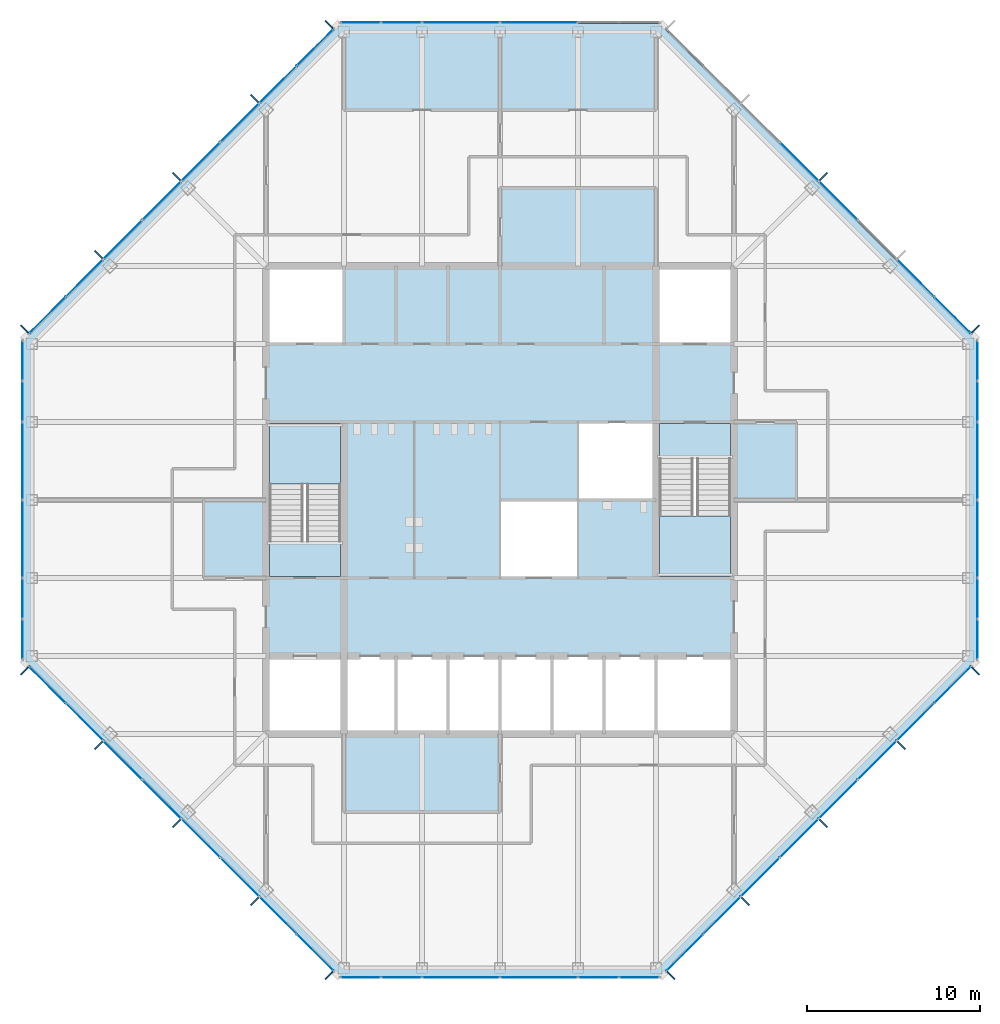
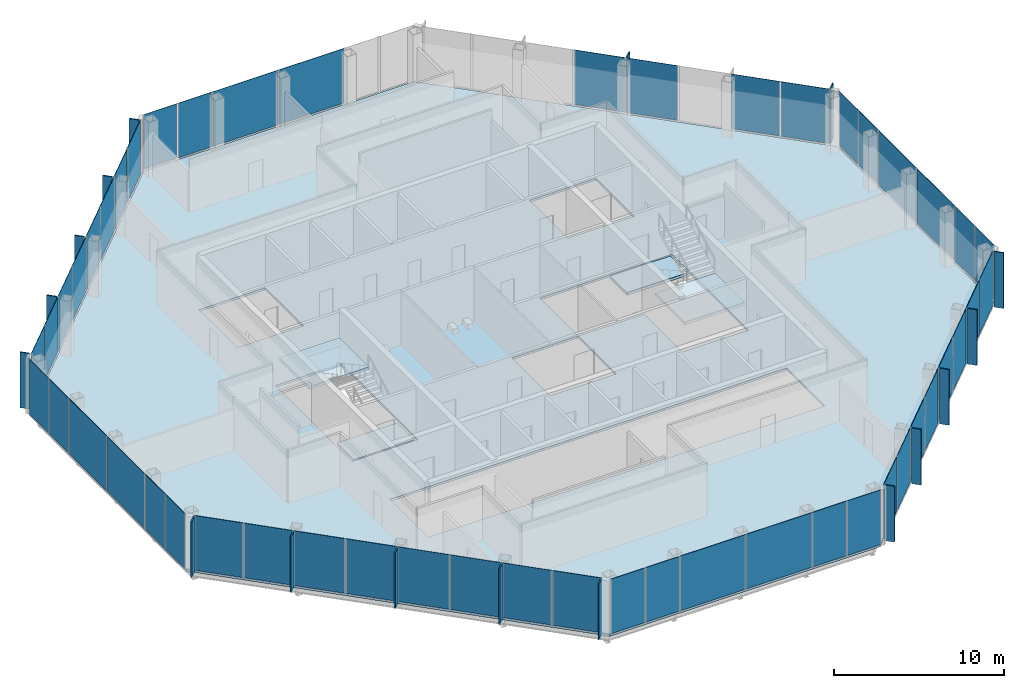
# One storey, part 8 of 13: 67 plates, 5 slabs, 10 elements without a shape of their own.
"""IFC4 building model written with IfcOpenShell, lengths in metres."""

from ifc_helpers import new_model, si_unit, direction, frame, origin, origin_2d, place, context, subcontext, project, spatial, polyline, rectangle, outline, extrude, material, layer, layer_set, type_object, element, aggregate, save


model = new_model("IFC4")

# Units and contexts
model_context = context("Model", 3, precision=1e-05, world=origin(), true_north=direction((0.0, 1.0)))
body_context = subcontext(model_context, "Body", "Model", "MODEL_VIEW")
ifc_project = project(units=[si_unit("LENGTHUNIT", "METRE"), si_unit("AREAUNIT", "SQUARE_METRE"), si_unit("VOLUMEUNIT", "CUBIC_METRE"), si_unit("PLANEANGLEUNIT", "RADIAN"), si_unit("MASSUNIT", "GRAM", prefix="KILO")], contexts=[model_context])

# Site, building, storey
site_placement = place(None, origin())
site = spatial("IfcSite", under=ifc_project, at=site_placement, CompositionType="ELEMENT")
building_placement = place(site_placement, origin())
building = spatial("IfcBuilding", under=site, at=building_placement, Name="Corais Broadcast Tower", CompositionType="ELEMENT")
storey_placement = place(building_placement, frame((0.0, 0.0, 242.60009765625)))
storey = spatial("IfcBuildingStorey", under=building, at=storey_placement, Name="L56", CompositionType="ELEMENT", Elevation=242.60009765625)

# Slab
ifc_material_1 = material(Name="Concrete C30/37", Category="concrete")
ifc_layer_1 = layer(ifc_material_1, 0.159912109375)
ifc_layer_set_1 = layer_set([ifc_layer_1], Name="Concrete C30/37")
slab_type_1 = type_object("IfcSlabType", Name="Composite floor slab 160", PredefinedType="FLOOR", material=ifc_layer_set_1)
slab_1_placement = place(storey_placement, frame((0.0, 0.0, -0.16015625)))
element("IfcSlab", 1, at=slab_1_placement, inside=storey, type_object=slab_type_1, Name="S160 floor slab L56", PredefinedType="FLOOR", context=body_context, shape_type="SweptSolid", body=[
    extrude(outline(polyline([(17.80126953125, -0.47998046875), (-0.47998046875, 17.80126953125), (-0.47998046875, 36.19873046875), (17.80126953125, 54.47998046875), (36.19873046875, 54.47998046875), (54.47998046875, 36.19873046875), (54.47998046875, 17.80126953125), (36.19873046875, -0.47998046875), (17.80126953125, -0.47998046875)]), holes=[polyline([(13.5, 18.0), (40.5, 18.0), (40.5, 13.5), (13.5, 13.5), (13.5, 18.0)]), polyline([(18.0, 22.5), (13.5, 22.5), (13.5, 31.5), (18.0, 31.5), (18.0, 22.5)]), polyline([(18.0, 36.0), (13.5, 36.0), (13.5, 40.5), (18.0, 40.5), (18.0, 36.0)]), polyline([(31.5, 22.5), (27.0, 22.5), (27.0, 27.0), (31.4951171875, 27.0), (31.4951171875, 27.0048828125), (31.5, 27.0048828125), (31.5, 31.5), (40.5, 31.5), (40.5, 22.5), (36.0, 22.5), (36.0, 27.0), (31.5048828125, 27.0), (31.5048828125, 26.9951171875), (31.5, 26.9951171875), (31.5, 22.5)]), polyline([(40.5, 36.0), (36.0, 36.0), (36.0, 40.5), (40.5, 40.5), (40.5, 36.0)])]), origin(), (0.0, 0.0, 1.0), 0.16015625),
])

# Curtain wall, plates
ifc_material_2 = material(Name="Aluminium and glass", Category="aluminium")
curtain_wall_type = type_object("IfcCurtainWallType", Name="Unitised fritted curtain wall CW3", PredefinedType="NOTDEFINED", material=ifc_material_2)
curtain_wall_1_placement = place(storey_placement, origin())
curtain_wall_1 = element("IfcCurtainWall", 2, at=curtain_wall_1_placement, inside=storey, type_object=curtain_wall_type, Name="CW3 curtain wall L56 1", PredefinedType="NOTDEFINED")
ifc_material_3 = material(Name="Ceramic-fritted laminated glass", Category="glass")
ifc_layer_2 = layer(ifc_material_3, 0.02587890625)
ifc_layer_set_2 = layer_set([ifc_layer_2], Name="Ceramic-fritted laminated glass")
plate_type_1 = type_object("IfcPlateType", Name="Fritted glass panel CW3", PredefinedType="CURTAIN_PANEL", material=ifc_layer_set_2)
plate_1_placement = place(storey_placement, frame((16.330322265625, 0.891845703125, 0.06494140625), z_axis=(0.0, 0.0, 1.0), x_axis=(-0.707106781187, 0.707106781187, 0.0)))
plate_1 = element("IfcPlate", 3, at=plate_1_placement, type_object=plate_type_1, Name="CW3 panel 1", PredefinedType="CURTAIN_PANEL", context=body_context, shape_type="SweptSolid", body=[
    extrude(rectangle(XDim=2.9482421875, YDim=0.02587890625, at=origin_2d()), origin(), (0.0, 0.0, 1.0), 3.93505859375),
])
plate_2_placement = place(storey_placement, frame((11.986083984375, 5.236083984375, 0.06494140625), z_axis=(0.0, 0.0, 1.0), x_axis=(-0.707106781187, 0.707106781187, 0.0)))
plate_2 = element("IfcPlate", 4, at=plate_2_placement, type_object=plate_type_1, Name="CW3 panel 3", PredefinedType="CURTAIN_PANEL", context=body_context, shape_type="SweptSolid", body=[
    extrude(rectangle(XDim=3.116943359375, YDim=0.02587890625, at=origin_2d()), origin(), (0.0, 0.0, 1.0), 3.93505859375),
])
plate_3_placement = place(storey_placement, frame((7.486083984375, 9.736083984375, 0.06494140625), z_axis=(0.0, 0.0, 1.0), x_axis=(-0.707106781187, 0.707106781187, 0.0)))
plate_3 = element("IfcPlate", 5, at=plate_3_placement, type_object=plate_type_1, Name="CW3 panel 5", PredefinedType="CURTAIN_PANEL", context=body_context, shape_type="SweptSolid", body=[
    extrude(rectangle(XDim=3.116943359375, YDim=0.02587890625, at=origin_2d()), origin(), (0.0, 0.0, 1.0), 3.93505859375),
])
plate_4_placement = place(storey_placement, frame((3.0341796875, 14.18798828125, 0.06494140625), z_axis=(0.0, 0.0, 1.0), x_axis=(-0.707106781187, 0.707106781187, 0.0)))
plate_4 = element("IfcPlate", 6, at=plate_4_placement, type_object=plate_type_1, Name="CW3 panel 7", PredefinedType="CURTAIN_PANEL", context=body_context, shape_type="SweptSolid", body=[
    extrude(rectangle(XDim=2.98095703125, YDim=0.02587890625, at=origin_2d()), origin(), (0.0, 0.0, 1.0), 3.93505859375),
])

curtain_wall_2_placement = place(storey_placement, origin())
curtain_wall_2 = element("IfcCurtainWall", 7, at=curtain_wall_2_placement, inside=storey, type_object=curtain_wall_type, Name="CW3 curtain wall L56 2", PredefinedType="NOTDEFINED")
plate_5_placement = place(storey_placement, frame((-0.550048828125, 18.970458984375, 0.06494140625), z_axis=(0.0, 0.0, 1.0), x_axis=(0.0, 1.0, 0.0)))
plate_5 = element("IfcPlate", 8, at=plate_5_placement, type_object=plate_type_1, Name="CW3 panel 1", PredefinedType="CURTAIN_PANEL", context=body_context, shape_type="SweptSolid", body=[
    extrude(rectangle(XDim=2.266357421875, YDim=0.02587890625, at=origin_2d()), origin(), (0.0, 0.0, 1.0), 3.93505859375),
])
plate_6_placement = place(storey_placement, frame((-0.550048828125, 24.75, 0.06494140625), z_axis=(0.0, 0.0, 1.0), x_axis=(0.0, 1.0, 0.0)))
plate_6 = element("IfcPlate", 9, at=plate_6_placement, type_object=plate_type_1, Name="CW3 panel 3", PredefinedType="CURTAIN_PANEL", context=body_context, shape_type="SweptSolid", body=[
    extrude(rectangle(XDim=4.43505859375, YDim=0.02587890625, at=origin_2d()), origin(), (0.0, 0.0, 1.0), 3.93505859375),
])
plate_7_placement = place(storey_placement, frame((-0.550048828125, 32.681884765625, 0.06494140625), z_axis=(0.0, 0.0, 1.0), x_axis=(0.0, 1.0, 0.0)))
plate_7 = element("IfcPlate", 10, at=plate_7_placement, type_object=plate_type_1, Name="CW3 panel 5", PredefinedType="CURTAIN_PANEL", context=body_context, shape_type="SweptSolid", body=[
    extrude(rectangle(XDim=2.298828125, YDim=0.02587890625, at=origin_2d()), origin(), (0.0, 0.0, 1.0), 3.93505859375),
])

curtain_wall_3_placement = place(storey_placement, origin())
curtain_wall_3 = element("IfcCurtainWall", 11, at=curtain_wall_3_placement, inside=storey, type_object=curtain_wall_type, Name="CW3 curtain wall L56 3", PredefinedType="NOTDEFINED")
plate_8_placement = place(storey_placement, frame((0.891845703125, 37.669677734375, 0.06494140625), z_axis=(0.0, 0.0, 1.0), x_axis=(0.707106781187, 0.707106781187, 0.0)))
plate_8 = element("IfcPlate", 12, at=plate_8_placement, type_object=plate_type_1, Name="CW3 panel 1", PredefinedType="CURTAIN_PANEL", context=body_context, shape_type="SweptSolid", body=[
    extrude(rectangle(XDim=2.9482421875, YDim=0.02587890625, at=origin_2d()), origin(), (0.0, 0.0, 1.0), 3.93505859375),
])
plate_9_placement = place(storey_placement, frame((5.236083984375, 42.013916015625, 0.06494140625), z_axis=(0.0, 0.0, 1.0), x_axis=(0.707106781187, 0.707106781187, 0.0)))
plate_9 = element("IfcPlate", 13, at=plate_9_placement, type_object=plate_type_1, Name="CW3 panel 3", PredefinedType="CURTAIN_PANEL", context=body_context, shape_type="SweptSolid", body=[
    extrude(rectangle(XDim=3.116943359375, YDim=0.02587890625, at=origin_2d()), origin(), (0.0, 0.0, 1.0), 3.93505859375),
])
plate_10_placement = place(storey_placement, frame((9.736083984375, 46.513916015625, 0.06494140625), z_axis=(0.0, 0.0, 1.0), x_axis=(0.707106781187, 0.707106781187, 0.0)))
plate_10 = element("IfcPlate", 14, at=plate_10_placement, type_object=plate_type_1, Name="CW3 panel 5", PredefinedType="CURTAIN_PANEL", context=body_context, shape_type="SweptSolid", body=[
    extrude(rectangle(XDim=3.116943359375, YDim=0.02587890625, at=origin_2d()), origin(), (0.0, 0.0, 1.0), 3.93505859375),
])
plate_11_placement = place(storey_placement, frame((14.18798828125, 50.9658203125, 0.06494140625), z_axis=(0.0, 0.0, 1.0), x_axis=(0.707106781187, 0.707106781187, 0.0)))
plate_11 = element("IfcPlate", 15, at=plate_11_placement, type_object=plate_type_1, Name="CW3 panel 7", PredefinedType="CURTAIN_PANEL", context=body_context, shape_type="SweptSolid", body=[
    extrude(rectangle(XDim=2.98095703125, YDim=0.02587890625, at=origin_2d()), origin(), (0.0, 0.0, 1.0), 3.93505859375),
])

curtain_wall_4_placement = place(storey_placement, origin())
curtain_wall_4 = element("IfcCurtainWall", 16, at=curtain_wall_4_placement, inside=storey, type_object=curtain_wall_type, Name="CW3 curtain wall L56 4", PredefinedType="NOTDEFINED")
plate_12_placement = place(storey_placement, frame((18.970458984375, 54.550048828125, 0.06494140625), z_axis=(0.0, 0.0, 1.0), x_axis=(1.0, 0.0, 0.0)))
plate_12 = element("IfcPlate", 17, at=plate_12_placement, type_object=plate_type_1, Name="CW3 panel 1", PredefinedType="CURTAIN_PANEL", context=body_context, shape_type="SweptSolid", body=[
    extrude(rectangle(XDim=2.266357421875, YDim=0.02587890625, at=origin_2d()), origin(), (0.0, 0.0, 1.0), 3.93505859375),
])
plate_13_placement = place(storey_placement, frame((24.75, 54.550048828125, 0.06494140625), z_axis=(0.0, 0.0, 1.0), x_axis=(1.0, 0.0, 0.0)))
plate_13 = element("IfcPlate", 18, at=plate_13_placement, type_object=plate_type_1, Name="CW3 panel 3", PredefinedType="CURTAIN_PANEL", context=body_context, shape_type="SweptSolid", body=[
    extrude(rectangle(XDim=4.43505859375, YDim=0.02587890625, at=origin_2d()), origin(), (0.0, 0.0, 1.0), 3.93505859375),
])

curtain_wall_5_placement = place(storey_placement, origin())
curtain_wall_5 = element("IfcCurtainWall", 19, at=curtain_wall_5_placement, inside=storey, type_object=curtain_wall_type, Name="CW3 curtain wall L56 5", PredefinedType="NOTDEFINED")
plate_14_placement = place(storey_placement, frame((46.513916015625, 44.263916015625, 0.06494140625), z_axis=(0.0, 0.0, 1.0), x_axis=(0.707106781187, -0.707106781187, 0.0)))
plate_14 = element("IfcPlate", 20, at=plate_14_placement, type_object=plate_type_1, Name="CW3 panel 5", PredefinedType="CURTAIN_PANEL", context=body_context, shape_type="SweptSolid", body=[
    extrude(rectangle(XDim=3.116943359375, YDim=0.02587890625, at=origin_2d()), origin(), (0.0, 0.0, 1.0), 3.93505859375),
])
plate_15_placement = place(storey_placement, frame((50.9658203125, 39.81201171875, 0.06494140625), z_axis=(0.0, 0.0, 1.0), x_axis=(0.707106781187, -0.707106781187, 0.0)))
plate_15 = element("IfcPlate", 21, at=plate_15_placement, type_object=plate_type_1, Name="CW3 panel 7", PredefinedType="CURTAIN_PANEL", context=body_context, shape_type="SweptSolid", body=[
    extrude(rectangle(XDim=2.98095703125, YDim=0.02587890625, at=origin_2d()), origin(), (0.0, 0.0, 1.0), 3.93505859375),
])

curtain_wall_6_placement = place(storey_placement, origin())
curtain_wall_6 = element("IfcCurtainWall", 22, at=curtain_wall_6_placement, inside=storey, type_object=curtain_wall_type, Name="CW3 curtain wall L56 6", PredefinedType="NOTDEFINED")
plate_16_placement = place(storey_placement, frame((54.550048828125, 35.029541015625, 0.06494140625), z_axis=(0.0, 0.0, 1.0), x_axis=(0.0, -1.0, 0.0)))
plate_16 = element("IfcPlate", 23, at=plate_16_placement, type_object=plate_type_1, Name="CW3 panel 1", PredefinedType="CURTAIN_PANEL", context=body_context, shape_type="SweptSolid", body=[
    extrude(rectangle(XDim=2.266357421875, YDim=0.02587890625, at=origin_2d()), origin(), (0.0, 0.0, 1.0), 3.93505859375),
])
plate_17_placement = place(storey_placement, frame((54.550048828125, 29.25, 0.06494140625), z_axis=(0.0, 0.0, 1.0), x_axis=(0.0, -1.0, 0.0)))
plate_17 = element("IfcPlate", 24, at=plate_17_placement, type_object=plate_type_1, Name="CW3 panel 3", PredefinedType="CURTAIN_PANEL", context=body_context, shape_type="SweptSolid", body=[
    extrude(rectangle(XDim=4.43505859375, YDim=0.02587890625, at=origin_2d()), origin(), (0.0, 0.0, 1.0), 3.93505859375),
])
plate_18_placement = place(storey_placement, frame((54.550048828125, 21.318115234375, 0.06494140625), z_axis=(0.0, 0.0, 1.0), x_axis=(0.0, -1.0, 0.0)))
plate_18 = element("IfcPlate", 25, at=plate_18_placement, type_object=plate_type_1, Name="CW3 panel 5", PredefinedType="CURTAIN_PANEL", context=body_context, shape_type="SweptSolid", body=[
    extrude(rectangle(XDim=2.298828125, YDim=0.02587890625, at=origin_2d()), origin(), (0.0, 0.0, 1.0), 3.93505859375),
])

curtain_wall_7_placement = place(storey_placement, origin())
curtain_wall_7 = element("IfcCurtainWall", 26, at=curtain_wall_7_placement, inside=storey, type_object=curtain_wall_type, Name="CW3 curtain wall L56 7", PredefinedType="NOTDEFINED")
plate_19_placement = place(storey_placement, frame((53.108154296875, 16.330322265625, 0.06494140625), z_axis=(0.0, 0.0, 1.0), x_axis=(-0.707106781187, -0.707106781187, 0.0)))
plate_19 = element("IfcPlate", 27, at=plate_19_placement, type_object=plate_type_1, Name="CW3 panel 1", PredefinedType="CURTAIN_PANEL", context=body_context, shape_type="SweptSolid", body=[
    extrude(rectangle(XDim=2.9482421875, YDim=0.02587890625, at=origin_2d()), origin(), (0.0, 0.0, 1.0), 3.93505859375),
])
plate_20_placement = place(storey_placement, frame((48.763916015625, 11.986083984375, 0.06494140625), z_axis=(0.0, 0.0, 1.0), x_axis=(-0.707106781187, -0.707106781187, 0.0)))
plate_20 = element("IfcPlate", 28, at=plate_20_placement, type_object=plate_type_1, Name="CW3 panel 3", PredefinedType="CURTAIN_PANEL", context=body_context, shape_type="SweptSolid", body=[
    extrude(rectangle(XDim=3.116943359375, YDim=0.02587890625, at=origin_2d()), origin(), (0.0, 0.0, 1.0), 3.93505859375),
])
plate_21_placement = place(storey_placement, frame((44.263916015625, 7.486083984375, 0.06494140625), z_axis=(0.0, 0.0, 1.0), x_axis=(-0.707106781187, -0.707106781187, 0.0)))
plate_21 = element("IfcPlate", 29, at=plate_21_placement, type_object=plate_type_1, Name="CW3 panel 5", PredefinedType="CURTAIN_PANEL", context=body_context, shape_type="SweptSolid", body=[
    extrude(rectangle(XDim=3.116943359375, YDim=0.02587890625, at=origin_2d()), origin(), (0.0, 0.0, 1.0), 3.93505859375),
])
plate_22_placement = place(storey_placement, frame((39.81201171875, 3.0341796875, 0.06494140625), z_axis=(0.0, 0.0, 1.0), x_axis=(-0.707106781187, -0.707106781187, 0.0)))
plate_22 = element("IfcPlate", 30, at=plate_22_placement, type_object=plate_type_1, Name="CW3 panel 7", PredefinedType="CURTAIN_PANEL", context=body_context, shape_type="SweptSolid", body=[
    extrude(rectangle(XDim=2.98095703125, YDim=0.02587890625, at=origin_2d()), origin(), (0.0, 0.0, 1.0), 3.93505859375),
])

curtain_wall_8_placement = place(storey_placement, origin())
curtain_wall_8 = element("IfcCurtainWall", 31, at=curtain_wall_8_placement, inside=storey, type_object=curtain_wall_type, Name="CW3 curtain wall L56 8", PredefinedType="NOTDEFINED")
plate_23_placement = place(storey_placement, frame((35.029541015625, -0.550048828125, 0.06494140625), z_axis=(0.0, 0.0, 1.0), x_axis=(-1.0, 0.0, 0.0)))
plate_23 = element("IfcPlate", 32, at=plate_23_placement, type_object=plate_type_1, Name="CW3 panel 1", PredefinedType="CURTAIN_PANEL", context=body_context, shape_type="SweptSolid", body=[
    extrude(rectangle(XDim=2.266357421875, YDim=0.02587890625, at=origin_2d()), origin(), (0.0, 0.0, 1.0), 3.93505859375),
])
plate_24_placement = place(storey_placement, frame((29.25, -0.550048828125, 0.06494140625), z_axis=(0.0, 0.0, 1.0), x_axis=(-1.0, 0.0, 0.0)))
plate_24 = element("IfcPlate", 33, at=plate_24_placement, type_object=plate_type_1, Name="CW3 panel 3", PredefinedType="CURTAIN_PANEL", context=body_context, shape_type="SweptSolid", body=[
    extrude(rectangle(XDim=4.43505859375, YDim=0.02587890625, at=origin_2d()), origin(), (0.0, 0.0, 1.0), 3.93505859375),
])
plate_25_placement = place(storey_placement, frame((21.318115234375, -0.550048828125, 0.06494140625), z_axis=(0.0, 0.0, 1.0), x_axis=(-1.0, 0.0, 0.0)))
plate_25 = element("IfcPlate", 34, at=plate_25_placement, type_object=plate_type_1, Name="CW3 panel 5", PredefinedType="CURTAIN_PANEL", context=body_context, shape_type="SweptSolid", body=[
    extrude(rectangle(XDim=2.298828125, YDim=0.02587890625, at=origin_2d()), origin(), (0.0, 0.0, 1.0), 3.93505859375),
])

# Plate
ifc_material_4 = material(Name="Clear laminated glass", Category="glass")
ifc_layer_3 = layer(ifc_material_4, 0.030029296875)
ifc_layer_set_3 = layer_set([ifc_layer_3], Name="Clear laminated glass")
plate_type_2 = type_object("IfcPlateType", Name="Operable glass panel CW3", PredefinedType="CURTAIN_PANEL", material=ifc_layer_set_3)
plate_26_placement = place(storey_placement, frame((14.18798828125, 3.0341796875, 0.06494140625), z_axis=(0.0, 0.0, 1.0), x_axis=(-0.707106781187, 0.707106781187, 0.0)))
plate_26 = element("IfcPlate", 35, at=plate_26_placement, type_object=plate_type_2, Name="CW3 operable panel 2", PredefinedType="CURTAIN_PANEL", context=body_context, shape_type="SweptSolid", body=[
    extrude(rectangle(XDim=2.98095703125, YDim=0.030029296875, at=origin_2d()), origin(), (0.0, 0.0, 1.0), 3.93505859375),
])

plate_27_placement = place(storey_placement, frame((9.736083984375, 7.486083984375, 0.06494140625), z_axis=(0.0, 0.0, 1.0), x_axis=(-0.707106781187, 0.707106781187, 0.0)))
plate_27 = element("IfcPlate", 36, at=plate_27_placement, type_object=plate_type_2, Name="CW3 operable panel 4", PredefinedType="CURTAIN_PANEL", context=body_context, shape_type="SweptSolid", body=[
    extrude(rectangle(XDim=3.116943359375, YDim=0.030029296875, at=origin_2d()), origin(), (0.0, 0.0, 1.0), 3.93505859375),
])

plate_28_placement = place(storey_placement, frame((5.236083984375, 11.986083984375, 0.06494140625), z_axis=(0.0, 0.0, 1.0), x_axis=(-0.707106781187, 0.707106781187, 0.0)))
plate_28 = element("IfcPlate", 37, at=plate_28_placement, type_object=plate_type_2, Name="CW3 operable panel 6", PredefinedType="CURTAIN_PANEL", context=body_context, shape_type="SweptSolid", body=[
    extrude(rectangle(XDim=3.116943359375, YDim=0.030029296875, at=origin_2d()), origin(), (0.0, 0.0, 1.0), 3.93505859375),
])

plate_29_placement = place(storey_placement, frame((0.89208984375, 16.330322265625, 0.06494140625), z_axis=(0.0, 0.0, 1.0), x_axis=(-0.707106781187, 0.707106781187, 0.0)))
plate_29 = element("IfcPlate", 38, at=plate_29_placement, type_object=plate_type_2, Name="CW3 operable panel 8", PredefinedType="CURTAIN_PANEL", context=body_context, shape_type="SweptSolid", body=[
    extrude(rectangle(XDim=2.948486328125, YDim=0.030029296875, at=origin_2d()), origin(), (0.0, 0.0, 1.0), 3.93505859375),
])

aggregate(curtain_wall_1, [plate_1, plate_26, plate_2, plate_27, plate_3, plate_28, plate_4, plate_29])

plate_30_placement = place(storey_placement, frame((-0.550048828125, 21.318115234375, 0.06494140625), z_axis=(0.0, 0.0, 1.0), x_axis=(0.0, 1.0, 0.0)))
plate_30 = element("IfcPlate", 39, at=plate_30_placement, type_object=plate_type_2, Name="CW3 operable panel 2", PredefinedType="CURTAIN_PANEL", context=body_context, shape_type="SweptSolid", body=[
    extrude(rectangle(XDim=2.298828125, YDim=0.030029296875, at=origin_2d()), origin(), (0.0, 0.0, 1.0), 3.93505859375),
])

plate_31_placement = place(storey_placement, frame((-0.550048828125, 29.25, 0.06494140625), z_axis=(0.0, 0.0, 1.0), x_axis=(0.0, 1.0, 0.0)))
plate_31 = element("IfcPlate", 40, at=plate_31_placement, type_object=plate_type_2, Name="CW3 operable panel 4", PredefinedType="CURTAIN_PANEL", context=body_context, shape_type="SweptSolid", body=[
    extrude(rectangle(XDim=4.43505859375, YDim=0.030029296875, at=origin_2d()), origin(), (0.0, 0.0, 1.0), 3.93505859375),
])

plate_32_placement = place(storey_placement, frame((-0.550048828125, 35.029541015625, 0.06494140625), z_axis=(0.0, 0.0, 1.0), x_axis=(0.0, 1.0, 0.0)))
plate_32 = element("IfcPlate", 41, at=plate_32_placement, type_object=plate_type_2, Name="CW3 operable panel 6", PredefinedType="CURTAIN_PANEL", context=body_context, shape_type="SweptSolid", body=[
    extrude(rectangle(XDim=2.266357421875, YDim=0.030029296875, at=origin_2d()), origin(), (0.0, 0.0, 1.0), 3.93505859375),
])

aggregate(curtain_wall_2, [plate_5, plate_30, plate_6, plate_31, plate_7, plate_32])

plate_33_placement = place(storey_placement, frame((3.0341796875, 39.81201171875, 0.06494140625), z_axis=(0.0, 0.0, 1.0), x_axis=(0.707106781187, 0.707106781187, 0.0)))
plate_33 = element("IfcPlate", 42, at=plate_33_placement, type_object=plate_type_2, Name="CW3 operable panel 2", PredefinedType="CURTAIN_PANEL", context=body_context, shape_type="SweptSolid", body=[
    extrude(rectangle(XDim=2.98095703125, YDim=0.030029296875, at=origin_2d()), origin(), (0.0, 0.0, 1.0), 3.93505859375),
])

plate_34_placement = place(storey_placement, frame((7.486083984375, 44.263916015625, 0.06494140625), z_axis=(0.0, 0.0, 1.0), x_axis=(0.707106781187, 0.707106781187, 0.0)))
plate_34 = element("IfcPlate", 43, at=plate_34_placement, type_object=plate_type_2, Name="CW3 operable panel 4", PredefinedType="CURTAIN_PANEL", context=body_context, shape_type="SweptSolid", body=[
    extrude(rectangle(XDim=3.116943359375, YDim=0.030029296875, at=origin_2d()), origin(), (0.0, 0.0, 1.0), 3.93505859375),
])

plate_35_placement = place(storey_placement, frame((11.986083984375, 48.763916015625, 0.06494140625), z_axis=(0.0, 0.0, 1.0), x_axis=(0.707106781187, 0.707106781187, 0.0)))
plate_35 = element("IfcPlate", 44, at=plate_35_placement, type_object=plate_type_2, Name="CW3 operable panel 6", PredefinedType="CURTAIN_PANEL", context=body_context, shape_type="SweptSolid", body=[
    extrude(rectangle(XDim=3.116943359375, YDim=0.030029296875, at=origin_2d()), origin(), (0.0, 0.0, 1.0), 3.93505859375),
])

plate_36_placement = place(storey_placement, frame((16.330322265625, 53.10791015625, 0.06494140625), z_axis=(0.0, 0.0, 1.0), x_axis=(0.707106781187, 0.707106781187, 0.0)))
plate_36 = element("IfcPlate", 45, at=plate_36_placement, type_object=plate_type_2, Name="CW3 operable panel 8", PredefinedType="CURTAIN_PANEL", context=body_context, shape_type="SweptSolid", body=[
    extrude(rectangle(XDim=2.948486328125, YDim=0.030029296875, at=origin_2d()), origin(), (0.0, 0.0, 1.0), 3.93505859375),
])

aggregate(curtain_wall_3, [plate_8, plate_33, plate_9, plate_34, plate_10, plate_35, plate_11, plate_36])

plate_37_placement = place(storey_placement, frame((21.318115234375, 54.550048828125, 0.06494140625), z_axis=(0.0, 0.0, 1.0), x_axis=(1.0, 0.0, 0.0)))
plate_37 = element("IfcPlate", 46, at=plate_37_placement, type_object=plate_type_2, Name="CW3 operable panel 2", PredefinedType="CURTAIN_PANEL", context=body_context, shape_type="SweptSolid", body=[
    extrude(rectangle(XDim=2.298828125, YDim=0.030029296875, at=origin_2d()), origin(), (0.0, 0.0, 1.0), 3.93505859375),
])

plate_38_placement = place(storey_placement, frame((29.25, 54.550048828125, 0.06494140625), z_axis=(0.0, 0.0, 1.0), x_axis=(1.0, 0.0, 0.0)))
plate_38 = element("IfcPlate", 47, at=plate_38_placement, type_object=plate_type_2, Name="CW3 operable panel 4", PredefinedType="CURTAIN_PANEL", context=body_context, shape_type="SweptSolid", body=[
    extrude(rectangle(XDim=4.43505859375, YDim=0.030029296875, at=origin_2d()), origin(), (0.0, 0.0, 1.0), 3.93505859375),
])

aggregate(curtain_wall_4, [plate_12, plate_37, plate_13, plate_38])

plate_39_placement = place(storey_placement, frame((44.263916015625, 46.513916015625, 0.06494140625), z_axis=(0.0, 0.0, 1.0), x_axis=(0.707106781187, -0.707106781187, 0.0)))
plate_39 = element("IfcPlate", 48, at=plate_39_placement, type_object=plate_type_2, Name="CW3 operable panel 4", PredefinedType="CURTAIN_PANEL", context=body_context, shape_type="SweptSolid", body=[
    extrude(rectangle(XDim=3.116943359375, YDim=0.030029296875, at=origin_2d()), origin(), (0.0, 0.0, 1.0), 3.93505859375),
])

plate_40_placement = place(storey_placement, frame((53.10791015625, 37.669677734375, 0.06494140625), z_axis=(0.0, 0.0, 1.0), x_axis=(0.707106781187, -0.707106781187, 0.0)))
plate_40 = element("IfcPlate", 49, at=plate_40_placement, type_object=plate_type_2, Name="CW3 operable panel 8", PredefinedType="CURTAIN_PANEL", context=body_context, shape_type="SweptSolid", body=[
    extrude(rectangle(XDim=2.948486328125, YDim=0.030029296875, at=origin_2d()), origin(), (0.0, 0.0, 1.0), 3.93505859375),
])

aggregate(curtain_wall_5, [plate_39, plate_14, plate_15, plate_40])

plate_41_placement = place(storey_placement, frame((54.550048828125, 32.681884765625, 0.06494140625), z_axis=(0.0, 0.0, 1.0), x_axis=(0.0, -1.0, 0.0)))
plate_41 = element("IfcPlate", 50, at=plate_41_placement, type_object=plate_type_2, Name="CW3 operable panel 2", PredefinedType="CURTAIN_PANEL", context=body_context, shape_type="SweptSolid", body=[
    extrude(rectangle(XDim=2.298828125, YDim=0.030029296875, at=origin_2d()), origin(), (0.0, 0.0, 1.0), 3.93505859375),
])

plate_42_placement = place(storey_placement, frame((54.550048828125, 24.75, 0.06494140625), z_axis=(0.0, 0.0, 1.0), x_axis=(0.0, -1.0, 0.0)))
plate_42 = element("IfcPlate", 51, at=plate_42_placement, type_object=plate_type_2, Name="CW3 operable panel 4", PredefinedType="CURTAIN_PANEL", context=body_context, shape_type="SweptSolid", body=[
    extrude(rectangle(XDim=4.43505859375, YDim=0.030029296875, at=origin_2d()), origin(), (0.0, 0.0, 1.0), 3.93505859375),
])

plate_43_placement = place(storey_placement, frame((54.550048828125, 18.970458984375, 0.06494140625), z_axis=(0.0, 0.0, 1.0), x_axis=(0.0, -1.0, 0.0)))
plate_43 = element("IfcPlate", 52, at=plate_43_placement, type_object=plate_type_2, Name="CW3 operable panel 6", PredefinedType="CURTAIN_PANEL", context=body_context, shape_type="SweptSolid", body=[
    extrude(rectangle(XDim=2.266357421875, YDim=0.030029296875, at=origin_2d()), origin(), (0.0, 0.0, 1.0), 3.93505859375),
])

aggregate(curtain_wall_6, [plate_16, plate_41, plate_17, plate_42, plate_18, plate_43])

plate_44_placement = place(storey_placement, frame((50.9658203125, 14.18798828125, 0.06494140625), z_axis=(0.0, 0.0, 1.0), x_axis=(-0.707106781187, -0.707106781187, 0.0)))
plate_44 = element("IfcPlate", 53, at=plate_44_placement, type_object=plate_type_2, Name="CW3 operable panel 2", PredefinedType="CURTAIN_PANEL", context=body_context, shape_type="SweptSolid", body=[
    extrude(rectangle(XDim=2.98095703125, YDim=0.030029296875, at=origin_2d()), origin(), (0.0, 0.0, 1.0), 3.93505859375),
])

plate_45_placement = place(storey_placement, frame((46.513916015625, 9.736083984375, 0.06494140625), z_axis=(0.0, 0.0, 1.0), x_axis=(-0.707106781187, -0.707106781187, 0.0)))
plate_45 = element("IfcPlate", 54, at=plate_45_placement, type_object=plate_type_2, Name="CW3 operable panel 4", PredefinedType="CURTAIN_PANEL", context=body_context, shape_type="SweptSolid", body=[
    extrude(rectangle(XDim=3.116943359375, YDim=0.030029296875, at=origin_2d()), origin(), (0.0, 0.0, 1.0), 3.93505859375),
])

plate_46_placement = place(storey_placement, frame((42.013916015625, 5.236083984375, 0.06494140625), z_axis=(0.0, 0.0, 1.0), x_axis=(-0.707106781187, -0.707106781187, 0.0)))
plate_46 = element("IfcPlate", 55, at=plate_46_placement, type_object=plate_type_2, Name="CW3 operable panel 6", PredefinedType="CURTAIN_PANEL", context=body_context, shape_type="SweptSolid", body=[
    extrude(rectangle(XDim=3.116943359375, YDim=0.030029296875, at=origin_2d()), origin(), (0.0, 0.0, 1.0), 3.93505859375),
])

plate_47_placement = place(storey_placement, frame((37.669677734375, 0.89208984375, 0.06494140625), z_axis=(0.0, 0.0, 1.0), x_axis=(-0.707106781187, -0.707106781187, 0.0)))
plate_47 = element("IfcPlate", 56, at=plate_47_placement, type_object=plate_type_2, Name="CW3 operable panel 8", PredefinedType="CURTAIN_PANEL", context=body_context, shape_type="SweptSolid", body=[
    extrude(rectangle(XDim=2.948486328125, YDim=0.030029296875, at=origin_2d()), origin(), (0.0, 0.0, 1.0), 3.93505859375),
])

aggregate(curtain_wall_7, [plate_19, plate_44, plate_20, plate_45, plate_21, plate_46, plate_22, plate_47])

plate_48_placement = place(storey_placement, frame((32.681884765625, -0.550048828125, 0.06494140625), z_axis=(0.0, 0.0, 1.0), x_axis=(-1.0, 0.0, 0.0)))
plate_48 = element("IfcPlate", 57, at=plate_48_placement, type_object=plate_type_2, Name="CW3 operable panel 2", PredefinedType="CURTAIN_PANEL", context=body_context, shape_type="SweptSolid", body=[
    extrude(rectangle(XDim=2.298828125, YDim=0.030029296875, at=origin_2d()), origin(), (0.0, 0.0, 1.0), 3.93505859375),
])

plate_49_placement = place(storey_placement, frame((24.75, -0.550048828125, 0.06494140625), z_axis=(0.0, 0.0, 1.0), x_axis=(-1.0, 0.0, 0.0)))
plate_49 = element("IfcPlate", 58, at=plate_49_placement, type_object=plate_type_2, Name="CW3 operable panel 4", PredefinedType="CURTAIN_PANEL", context=body_context, shape_type="SweptSolid", body=[
    extrude(rectangle(XDim=4.43505859375, YDim=0.030029296875, at=origin_2d()), origin(), (0.0, 0.0, 1.0), 3.93505859375),
])

plate_50_placement = place(storey_placement, frame((18.970458984375, -0.550048828125, 0.06494140625), z_axis=(0.0, 0.0, 1.0), x_axis=(-1.0, 0.0, 0.0)))
plate_50 = element("IfcPlate", 59, at=plate_50_placement, type_object=plate_type_2, Name="CW3 operable panel 6", PredefinedType="CURTAIN_PANEL", context=body_context, shape_type="SweptSolid", body=[
    extrude(rectangle(XDim=2.266357421875, YDim=0.030029296875, at=origin_2d()), origin(), (0.0, 0.0, 1.0), 3.93505859375),
])

aggregate(curtain_wall_8, [plate_23, plate_48, plate_24, plate_49, plate_25, plate_50])

# Stair, slabs
ifc_material_5 = material(Name="Concrete C30/37", Category="concrete")
stair_type = type_object("IfcStairType", Name="Half-turn stair 4000", PredefinedType="HALF_TURN_STAIR", material=ifc_material_5)
stair_1_placement = place(storey_placement, origin())
stair_1 = element("IfcStair", 60, at=stair_1_placement, inside=storey, type_object=stair_type, Name="Stair A L56", PredefinedType="HALF_TURN_STAIR")
ifc_material_6 = material(Name="Concrete C30/37", Category="concrete")
ifc_layer_4 = layer(ifc_material_6, 0.199951171875)
ifc_layer_set_4 = layer_set([ifc_layer_4], Name="Concrete C30/37")
slab_type_2 = type_object("IfcSlabType", Name="Stair landing 200", PredefinedType="LANDING", material=ifc_layer_set_4)
slab_2_placement = place(storey_placement, frame((0.0, 0.0, -0.2001953125)))
slab_2 = element("IfcSlab", 61, at=slab_2_placement, type_object=slab_type_2, Name="STA landing 1", PredefinedType="LANDING", context=body_context, shape_type="SweptSolid", body=[
    extrude(outline(polyline([(13.699951171875, 22.60009765625), (17.800048828125, 22.60009765625), (17.800048828125, 24.60009765625), (13.699951171875, 24.60009765625), (13.699951171875, 22.60009765625)])), origin(), (0.0, 0.0, 1.0), 0.2001953125),
])
slab_3_placement = place(storey_placement, frame((0.0, 0.0, 1.7998046875)))
slab_3 = element("IfcSlab", 62, at=slab_3_placement, type_object=slab_type_2, Name="STA landing 2", PredefinedType="LANDING", context=body_context, shape_type="SweptSolid", body=[
    extrude(outline(polyline([(13.699951171875, 27.922119140625), (17.800048828125, 27.922119140625), (17.800048828125, 31.39990234375), (13.699951171875, 31.39990234375), (13.699951171875, 27.922119140625)])), origin(), (0.0, 0.0, 1.0), 0.2001953125),
])
aggregate(stair_1, [slab_2, slab_3])

stair_2_placement = place(storey_placement, origin())
stair_2 = element("IfcStair", 63, at=stair_2_placement, inside=storey, type_object=stair_type, Name="Stair B L56", PredefinedType="HALF_TURN_STAIR")
slab_4_placement = place(storey_placement, frame((0.0, 0.0, -0.2001953125)))
slab_4 = element("IfcSlab", 64, at=slab_4_placement, type_object=slab_type_2, Name="STB landing 1", PredefinedType="LANDING", context=body_context, shape_type="SweptSolid", body=[
    extrude(outline(polyline([(36.199951171875, 29.39990234375), (40.300048828125, 29.39990234375), (40.300048828125, 31.39990234375), (36.199951171875, 31.39990234375), (36.199951171875, 29.39990234375)])), origin(), (0.0, 0.0, 1.0), 0.2001953125),
])
slab_5_placement = place(storey_placement, frame((0.0, 0.0, 1.7998046875)))
slab_5 = element("IfcSlab", 65, at=slab_5_placement, type_object=slab_type_2, Name="STB landing 2", PredefinedType="LANDING", context=body_context, shape_type="SweptSolid", body=[
    extrude(outline(polyline([(36.199951171875, 22.60009765625), (40.300048828125, 22.60009765625), (40.300048828125, 26.077880859375), (36.199951171875, 26.077880859375), (36.199951171875, 22.60009765625)])), origin(), (0.0, 0.0, 1.0), 0.2001953125),
])
aggregate(stair_2, [slab_4, slab_5])

# Plates
ifc_material_7 = material(Name="Granite stone cladding", Category="masonry")
ifc_layer_5 = layer(ifc_material_7, 0.080078125)
ifc_layer_set_5 = layer_set([ifc_layer_5], Name="Granite stone cladding")
plate_type_3 = type_object("IfcPlateType", Name="Stone screen fin 80x600", PredefinedType="USERDEFINED", material=ifc_layer_set_5)
for number, where, z_axis, x_axis, name in (
    (66, (17.129150390625, -0.43994140625, 0.0), (0.0, 0.0, 1.0), (-0.707106781187, 0.707106781187, 0.0), "SF1 stone screen fin L56"),
    (67, (12.844482421875, 3.844482421875, 0.0), (0.0, 0.0, 1.0), (-0.707106781187, 0.707106781187, 0.0), "SF1 stone screen fin L56"),
    (68, (8.344482421875, 8.344482421875, 0.0), (0.0, 0.0, 1.0), (-0.707106781187, 0.707106781187, 0.0), "SF1 stone screen fin L56"),
    (69, (3.844482421875, 12.844482421875, 0.0), (0.0, 0.0, 1.0), (-0.707106781187, 0.707106781187, 0.0), "SF1 stone screen fin L56"),
    (70, (-0.43994140625, 17.129150390625, 0.0), (0.0, 0.0, 1.0), (-0.707106781187, 0.707106781187, 0.0), "SF1 stone screen fin L56"),
    (71, (-0.43994140625, 36.870849609375, 0.0), (0.0, 0.0, 1.0), (0.707106781187, 0.707106781187, 0.0), "SF1 stone screen fin L56"),
    (72, (3.844482421875, 41.155517578125, 0.0), (0.0, 0.0, 1.0), (0.707106781187, 0.707106781187, 0.0), "SF1 stone screen fin L56"),
    (73, (8.344482421875, 45.655517578125, 0.0), (0.0, 0.0, 1.0), (0.707106781187, 0.707106781187, 0.0), "SF1 stone screen fin L56"),
    (74, (12.844482421875, 50.155517578125, 0.0), (0.0, 0.0, 1.0), (0.707106781187, 0.707106781187, 0.0), "SF1 stone screen fin L56"),
    (75, (17.129150390625, 54.43994140625, 0.0), (0.0, 0.0, 1.0), (0.707106781187, 0.707106781187, 0.0), "SF1 stone screen fin L56"),
    (76, (45.655517578125, 45.655517578125, 0.0), (0.0, 0.0, 1.0), (0.707106781187, -0.707106781187, 0.0), "SF1 stone screen fin L56"),
    (77, (54.43994140625, 36.870849609375, 0.0), (0.0, 0.0, 1.0), (0.707106781187, -0.707106781187, 0.0), "SF1 stone screen fin L56"),
    (78, (54.43994140625, 17.129150390625, 0.0), (0.0, 0.0, 1.0), (-0.707106781187, -0.707106781187, 0.0), "SF1 stone screen fin L56"),
    (79, (50.155517578125, 12.844482421875, 0.0), (0.0, 0.0, 1.0), (-0.707106781187, -0.707106781187, 0.0), "SF1 stone screen fin L56"),
    (80, (45.655517578125, 8.344482421875, 0.0), (0.0, 0.0, 1.0), (-0.707106781187, -0.707106781187, 0.0), "SF1 stone screen fin L56"),
    (81, (41.155517578125, 3.844482421875, 0.0), (0.0, 0.0, 1.0), (-0.707106781187, -0.707106781187, 0.0), "SF1 stone screen fin L56"),
    (82, (36.870849609375, -0.43994140625, 0.0), (0.0, 0.0, 1.0), (-0.707106781187, -0.707106781187, 0.0), "SF1 stone screen fin L56"),
):
    element("IfcPlate", number, at=place(storey_placement, frame(where, z_axis=z_axis, x_axis=x_axis)), inside=storey, type_object=plate_type_3, Name=name, ObjectType="STONE SCREEN FIN", PredefinedType="USERDEFINED", context=body_context, shape_type="SweptSolid", body=[
        extrude(rectangle(XDim=0.080078125, YDim=0.60009765625, at=origin_2d()), origin(), (0.0, 0.0, 1.0), 4.0),
    ])

save(model, "model.ifc")
